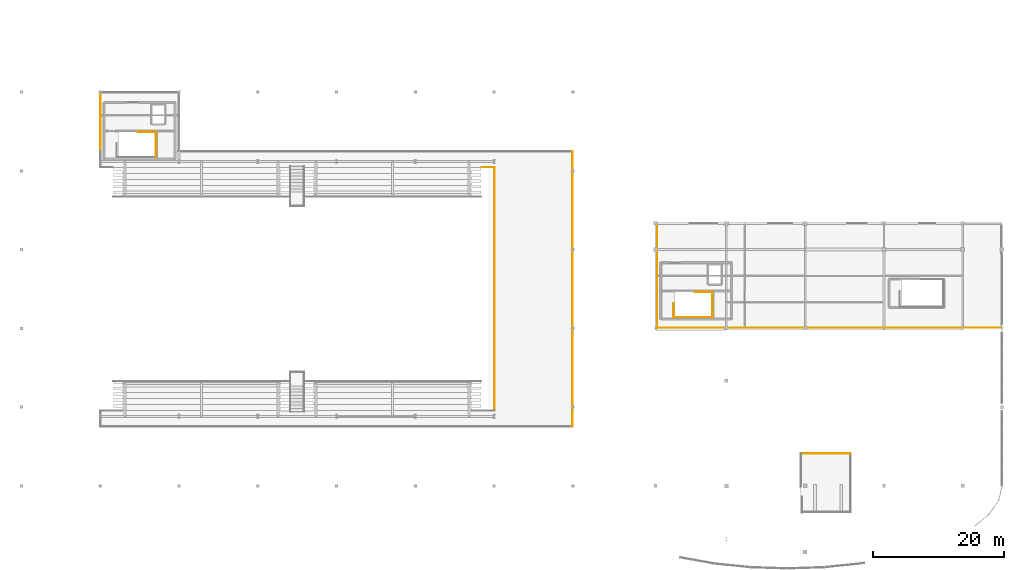
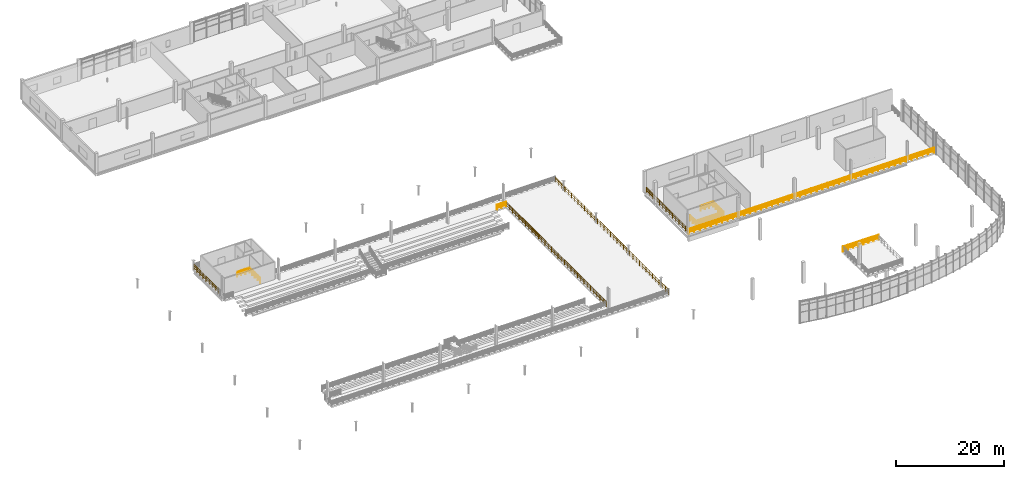
# One storey, part 47 of 52: 13 railings.
"""IFC4 building model written with IfcOpenShell, lengths in metres."""

from ifc_helpers import new_model, si_unit, direction, frame, origin, origin_2d, place, context, subcontext, project, spatial, circle, extrude, material, layer, layer_set, type_object, element, save


model = new_model("IFC4")

# Units and contexts
model_context = context("Model", 3, precision=1e-05, world=origin(), true_north=direction((0.0, 1.0)))
body_context = subcontext(model_context, "Body", "Model", "MODEL_VIEW")
ifc_project = project(units=[si_unit("LENGTHUNIT", "METRE"), si_unit("AREAUNIT", "SQUARE_METRE"), si_unit("VOLUMEUNIT", "CUBIC_METRE"), si_unit("PLANEANGLEUNIT", "RADIAN"), si_unit("MASSUNIT", "GRAM", prefix="KILO"), si_unit("THERMODYNAMICTEMPERATUREUNIT", "KELVIN"), si_unit("POWERUNIT", "WATT")], contexts=[model_context])

# Site, building, storey
site_placement = place(None, origin())
site = spatial("IfcSite", under=ifc_project, at=site_placement, CompositionType="ELEMENT")
building_placement = place(site_placement, origin())
building = spatial("IfcBuilding", under=site, at=building_placement, Name="Solmara Park Aquatics Centre", CompositionType="ELEMENT")
storey_placement = place(building_placement, frame((0.0, 0.0, 9.60009765625)))
storey = spatial("IfcBuildingStorey", under=building, at=storey_placement, Name="L02", CompositionType="ELEMENT", Elevation=9.60009765625)

# Railings
ifc_material_1 = material(Name="Toughened Glass and Stainless Steel Stand Guardrail", Category="steel")
ifc_layer_1 = layer(ifc_material_1, 0.06005859375, Name="Toughened Glass and Stainless Steel Stand Guardrail")
ifc_layer_set_1 = layer_set([ifc_layer_1], Name="Toughened Glass and Stainless Steel Stand Guardrail")
railing_type_1 = type_object("IfcRailingType", Name="ARC-RL-STD110", PredefinedType="GUARDRAIL", material=ifc_layer_set_1)
railing_1_placement = place(storey_placement, frame((109.5, 36.699951171875, 0.0)))
element("IfcRailing", 1, at=railing_1_placement, inside=storey, type_object=railing_type_1, Name="Atrium & Gallery Void Guardrail 14", PredefinedType="GUARDRAIL", context=body_context, shape_type="SweptSolid", body=[
    extrude(circle(Radius=0.02392578125, at=origin_2d()), frame((0.0, 0.0, 1.15576171875), z_axis=(1.0, 0.0, 0.0), x_axis=(0.0, 1.0, 0.0)), (0.0, 0.0, 1.0), 52.300048828125),
    extrude(circle(Radius=0.01416015625, at=origin_2d()), frame((0.0, 0.0, 0.4130859375), z_axis=(1.0, 0.0, 0.0), x_axis=(0.0, 1.0, 0.0)), (0.0, 0.0, 1.0), 52.300048828125),
    extrude(circle(Radius=0.01416015625, at=origin_2d()), frame((0.0, 0.0, 0.80224609375), z_axis=(1.0, 0.0, 0.0), x_axis=(0.0, 1.0, 0.0)), (0.0, 0.0, 1.0), 52.300048828125),
    extrude(circle(Radius=0.02099609375, at=origin_2d()), origin(), (0.0, 0.0, 1.0), 1.1318359375),
    extrude(circle(Radius=0.02099609375, at=origin_2d()), frame((1.188720703125, 0.0, 0.0)), (0.0, 0.0, 1.0), 1.1318359375),
    extrude(circle(Radius=0.02099609375, at=origin_2d()), frame((2.377197265625, 0.0, 0.0)), (0.0, 0.0, 1.0), 1.1318359375),
    extrude(circle(Radius=0.02099609375, at=origin_2d()), frame((3.56591796875, 0.0, 0.0)), (0.0, 0.0, 1.0), 1.1318359375),
    extrude(circle(Radius=0.02099609375, at=origin_2d()), frame((4.754638671875, 0.0, 0.0)), (0.0, 0.0, 1.0), 1.1318359375),
    extrude(circle(Radius=0.02099609375, at=origin_2d()), frame((5.943115234375, 0.0, 0.0)), (0.0, 0.0, 1.0), 1.1318359375),
    extrude(circle(Radius=0.02099609375, at=origin_2d()), frame((7.1318359375, 0.0, 0.0)), (0.0, 0.0, 1.0), 1.1318359375),
    extrude(circle(Radius=0.02099609375, at=origin_2d()), frame((8.320556640625, 0.0, 0.0)), (0.0, 0.0, 1.0), 1.1318359375),
    extrude(circle(Radius=0.02099609375, at=origin_2d()), frame((9.509033203125, 0.0, 0.0)), (0.0, 0.0, 1.0), 1.1318359375),
    extrude(circle(Radius=0.02099609375, at=origin_2d()), frame((10.69775390625, 0.0, 0.0)), (0.0, 0.0, 1.0), 1.1318359375),
    extrude(circle(Radius=0.02099609375, at=origin_2d()), frame((11.886474609375, 0.0, 0.0)), (0.0, 0.0, 1.0), 1.1318359375),
    extrude(circle(Radius=0.02099609375, at=origin_2d()), frame((13.074951171875, 0.0, 0.0)), (0.0, 0.0, 1.0), 1.1318359375),
    extrude(circle(Radius=0.02099609375, at=origin_2d()), frame((14.263671875, 0.0, 0.0)), (0.0, 0.0, 1.0), 1.1318359375),
    extrude(circle(Radius=0.02099609375, at=origin_2d()), frame((15.452392578125, 0.0, 0.0)), (0.0, 0.0, 1.0), 1.1318359375),
    extrude(circle(Radius=0.02099609375, at=origin_2d()), frame((16.640869140625, 0.0, 0.0)), (0.0, 0.0, 1.0), 1.1318359375),
    extrude(circle(Radius=0.02099609375, at=origin_2d()), frame((17.82958984375, 0.0, 0.0)), (0.0, 0.0, 1.0), 1.1318359375),
    extrude(circle(Radius=0.02099609375, at=origin_2d()), frame((19.018310546875, 0.0, 0.0)), (0.0, 0.0, 1.0), 1.1318359375),
    extrude(circle(Radius=0.02099609375, at=origin_2d()), frame((20.206787109375, 0.0, 0.0)), (0.0, 0.0, 1.0), 1.1318359375),
    extrude(circle(Radius=0.02099609375, at=origin_2d()), frame((21.3955078125, 0.0, 0.0)), (0.0, 0.0, 1.0), 1.1318359375),
    extrude(circle(Radius=0.02099609375, at=origin_2d()), frame((22.584228515625, 0.0, 0.0)), (0.0, 0.0, 1.0), 1.1318359375),
    extrude(circle(Radius=0.02099609375, at=origin_2d()), frame((23.772705078125, 0.0, 0.0)), (0.0, 0.0, 1.0), 1.1318359375),
    extrude(circle(Radius=0.02099609375, at=origin_2d()), frame((24.96142578125, 0.0, 0.0)), (0.0, 0.0, 1.0), 1.1318359375),
    extrude(circle(Radius=0.02099609375, at=origin_2d()), frame((26.14990234375, 0.0, 0.0)), (0.0, 0.0, 1.0), 1.1318359375),
    extrude(circle(Radius=0.02099609375, at=origin_2d()), frame((27.338623046875, 0.0, 0.0)), (0.0, 0.0, 1.0), 1.1318359375),
    extrude(circle(Radius=0.02099609375, at=origin_2d()), frame((28.52734375, 0.0, 0.0)), (0.0, 0.0, 1.0), 1.1318359375),
    extrude(circle(Radius=0.02099609375, at=origin_2d()), frame((29.7158203125, 0.0, 0.0)), (0.0, 0.0, 1.0), 1.1318359375),
    extrude(circle(Radius=0.02099609375, at=origin_2d()), frame((30.904541015625, 0.0, 0.0)), (0.0, 0.0, 1.0), 1.1318359375),
    extrude(circle(Radius=0.02099609375, at=origin_2d()), frame((32.09326171875, 0.0, 0.0)), (0.0, 0.0, 1.0), 1.1318359375),
    extrude(circle(Radius=0.02099609375, at=origin_2d()), frame((33.28173828125, 0.0, 0.0)), (0.0, 0.0, 1.0), 1.1318359375),
    extrude(circle(Radius=0.02099609375, at=origin_2d()), frame((34.470458984375, 0.0, 0.0)), (0.0, 0.0, 1.0), 1.1318359375),
    extrude(circle(Radius=0.02099609375, at=origin_2d()), frame((35.6591796875, 0.0, 0.0)), (0.0, 0.0, 1.0), 1.1318359375),
    extrude(circle(Radius=0.02099609375, at=origin_2d()), frame((36.84765625, 0.0, 0.0)), (0.0, 0.0, 1.0), 1.1318359375),
    extrude(circle(Radius=0.02099609375, at=origin_2d()), frame((38.036376953125, 0.0, 0.0)), (0.0, 0.0, 1.0), 1.1318359375),
    extrude(circle(Radius=0.02099609375, at=origin_2d()), frame((39.22509765625, 0.0, 0.0)), (0.0, 0.0, 1.0), 1.1318359375),
    extrude(circle(Radius=0.02099609375, at=origin_2d()), frame((40.41357421875, 0.0, 0.0)), (0.0, 0.0, 1.0), 1.1318359375),
    extrude(circle(Radius=0.02099609375, at=origin_2d()), frame((41.602294921875, 0.0, 0.0)), (0.0, 0.0, 1.0), 1.1318359375),
    extrude(circle(Radius=0.02099609375, at=origin_2d()), frame((42.791015625, 0.0, 0.0)), (0.0, 0.0, 1.0), 1.1318359375),
    extrude(circle(Radius=0.02099609375, at=origin_2d()), frame((43.9794921875, 0.0, 0.0)), (0.0, 0.0, 1.0), 1.1318359375),
    extrude(circle(Radius=0.02099609375, at=origin_2d()), frame((45.168212890625, 0.0, 0.0)), (0.0, 0.0, 1.0), 1.1318359375),
    extrude(circle(Radius=0.02099609375, at=origin_2d()), frame((46.35693359375, 0.0, 0.0)), (0.0, 0.0, 1.0), 1.1318359375),
    extrude(circle(Radius=0.02099609375, at=origin_2d()), frame((47.54541015625, 0.0, 0.0)), (0.0, 0.0, 1.0), 1.1318359375),
    extrude(circle(Radius=0.02099609375, at=origin_2d()), frame((48.734130859375, 0.0, 0.0)), (0.0, 0.0, 1.0), 1.1318359375),
    extrude(circle(Radius=0.02099609375, at=origin_2d()), frame((49.9228515625, 0.0, 0.0)), (0.0, 0.0, 1.0), 1.1318359375),
    extrude(circle(Radius=0.02099609375, at=origin_2d()), frame((51.111328125, 0.0, 0.0)), (0.0, 0.0, 1.0), 1.1318359375),
    extrude(circle(Radius=0.02099609375, at=origin_2d()), frame((52.300048828125, 0.0, 0.0)), (0.0, 0.0, 1.0), 1.1318359375),
])
railing_2_placement = place(storey_placement, frame((24.64990234375, 63.60009765625, 0.0)))
element("IfcRailing", 2, at=railing_2_placement, inside=storey, type_object=railing_type_1, Name="Atrium & Gallery Void Guardrail 17", PredefinedType="GUARDRAIL", context=body_context, shape_type="SweptSolid", body=[
    extrude(circle(Radius=0.02392578125, at=origin_2d()), frame((0.0, 0.0, 1.15576171875), z_axis=(0.0, 1.0, 0.0), x_axis=(-1.0, 0.0, 0.0)), (0.0, 0.0, 1.0), 8.949951171875),
    extrude(circle(Radius=0.01416015625, at=origin_2d()), frame((0.0, 0.0, 0.4130859375), z_axis=(0.0, 1.0, 0.0), x_axis=(-1.0, 0.0, 0.0)), (0.0, 0.0, 1.0), 8.949951171875),
    extrude(circle(Radius=0.01416015625, at=origin_2d()), frame((0.0, 0.0, 0.80224609375), z_axis=(0.0, 1.0, 0.0), x_axis=(-1.0, 0.0, 0.0)), (0.0, 0.0, 1.0), 8.949951171875),
    extrude(circle(Radius=0.02099609375, at=origin_2d()), origin(), (0.0, 0.0, 1.0), 1.1318359375),
    extrude(circle(Radius=0.02099609375, at=origin_2d()), frame((0.0, 1.11865234375, 0.0)), (0.0, 0.0, 1.0), 1.1318359375),
    extrude(circle(Radius=0.02099609375, at=origin_2d()), frame((0.0, 2.237548828125, 0.0)), (0.0, 0.0, 1.0), 1.1318359375),
    extrude(circle(Radius=0.02099609375, at=origin_2d()), frame((0.0, 3.356201171875, 0.0)), (0.0, 0.0, 1.0), 1.1318359375),
    extrude(circle(Radius=0.02099609375, at=origin_2d()), frame((0.0, 4.47509765625, 0.0)), (0.0, 0.0, 1.0), 1.1318359375),
    extrude(circle(Radius=0.02099609375, at=origin_2d()), frame((0.0, 5.59375, 0.0)), (0.0, 0.0, 1.0), 1.1318359375),
    extrude(circle(Radius=0.02099609375, at=origin_2d()), frame((0.0, 6.71240234375, 0.0)), (0.0, 0.0, 1.0), 1.1318359375),
    extrude(circle(Radius=0.02099609375, at=origin_2d()), frame((0.0, 7.831298828125, 0.0)), (0.0, 0.0, 1.0), 1.1318359375),
    extrude(circle(Radius=0.02099609375, at=origin_2d()), frame((0.0, 8.949951171875, 0.0)), (0.0, 0.0, 1.0), 1.1318359375),
])
railing_3_placement = place(storey_placement, frame((84.659912109375, 24.0400390625, 0.0)))
element("IfcRailing", 3, at=railing_3_placement, inside=storey, type_object=railing_type_1, Name="L02 Slab Edge Guardrail 085", PredefinedType="GUARDRAIL", context=body_context, shape_type="SweptSolid", body=[
    extrude(circle(Radius=0.02392578125, at=origin_2d()), frame((0.0, 0.0, 1.15576171875), z_axis=(0.0, 1.0, 0.0), x_axis=(-1.0, 0.0, 0.0)), (0.0, 0.0, 1.0), 37.119873046875),
    extrude(circle(Radius=0.01416015625, at=origin_2d()), frame((0.0, 0.0, 0.4130859375), z_axis=(0.0, 1.0, 0.0), x_axis=(-1.0, 0.0, 0.0)), (0.0, 0.0, 1.0), 37.119873046875),
    extrude(circle(Radius=0.01416015625, at=origin_2d()), frame((0.0, 0.0, 0.80224609375), z_axis=(0.0, 1.0, 0.0), x_axis=(-1.0, 0.0, 0.0)), (0.0, 0.0, 1.0), 37.119873046875),
    extrude(circle(Radius=0.02099609375, at=origin_2d()), origin(), (0.0, 0.0, 1.0), 1.1318359375),
    extrude(circle(Radius=0.02099609375, at=origin_2d()), frame((0.0, 1.197509765625, 0.0)), (0.0, 0.0, 1.0), 1.1318359375),
    extrude(circle(Radius=0.02099609375, at=origin_2d()), frame((0.0, 2.394775390625, 0.0)), (0.0, 0.0, 1.0), 1.1318359375),
    extrude(circle(Radius=0.02099609375, at=origin_2d()), frame((0.0, 3.59228515625, 0.0)), (0.0, 0.0, 1.0), 1.1318359375),
    extrude(circle(Radius=0.02099609375, at=origin_2d()), frame((0.0, 4.78955078125, 0.0)), (0.0, 0.0, 1.0), 1.1318359375),
    extrude(circle(Radius=0.02099609375, at=origin_2d()), frame((0.0, 5.987060546875, 0.0)), (0.0, 0.0, 1.0), 1.1318359375),
    extrude(circle(Radius=0.02099609375, at=origin_2d()), frame((0.0, 7.1845703125, 0.0)), (0.0, 0.0, 1.0), 1.1318359375),
    extrude(circle(Radius=0.02099609375, at=origin_2d()), frame((0.0, 8.3818359375, 0.0)), (0.0, 0.0, 1.0), 1.1318359375),
    extrude(circle(Radius=0.02099609375, at=origin_2d()), frame((0.0, 9.579345703125, 0.0)), (0.0, 0.0, 1.0), 1.1318359375),
    extrude(circle(Radius=0.02099609375, at=origin_2d()), frame((0.0, 10.77685546875, 0.0)), (0.0, 0.0, 1.0), 1.1318359375),
    extrude(circle(Radius=0.02099609375, at=origin_2d()), frame((0.0, 11.97412109375, 0.0)), (0.0, 0.0, 1.0), 1.1318359375),
    extrude(circle(Radius=0.02099609375, at=origin_2d()), frame((0.0, 13.171630859375, 0.0)), (0.0, 0.0, 1.0), 1.1318359375),
    extrude(circle(Radius=0.02099609375, at=origin_2d()), frame((0.0, 14.368896484375, 0.0)), (0.0, 0.0, 1.0), 1.1318359375),
    extrude(circle(Radius=0.02099609375, at=origin_2d()), frame((0.0, 15.56640625, 0.0)), (0.0, 0.0, 1.0), 1.1318359375),
    extrude(circle(Radius=0.02099609375, at=origin_2d()), frame((0.0, 16.763916015625, 0.0)), (0.0, 0.0, 1.0), 1.1318359375),
    extrude(circle(Radius=0.02099609375, at=origin_2d()), frame((0.0, 17.961181640625, 0.0)), (0.0, 0.0, 1.0), 1.1318359375),
    extrude(circle(Radius=0.02099609375, at=origin_2d()), frame((0.0, 19.15869140625, 0.0)), (0.0, 0.0, 1.0), 1.1318359375),
    extrude(circle(Radius=0.02099609375, at=origin_2d()), frame((0.0, 20.35595703125, 0.0)), (0.0, 0.0, 1.0), 1.1318359375),
    extrude(circle(Radius=0.02099609375, at=origin_2d()), frame((0.0, 21.553466796875, 0.0)), (0.0, 0.0, 1.0), 1.1318359375),
    extrude(circle(Radius=0.02099609375, at=origin_2d()), frame((0.0, 22.7509765625, 0.0)), (0.0, 0.0, 1.0), 1.1318359375),
    extrude(circle(Radius=0.02099609375, at=origin_2d()), frame((0.0, 23.9482421875, 0.0)), (0.0, 0.0, 1.0), 1.1318359375),
    extrude(circle(Radius=0.02099609375, at=origin_2d()), frame((0.0, 25.145751953125, 0.0)), (0.0, 0.0, 1.0), 1.1318359375),
    extrude(circle(Radius=0.02099609375, at=origin_2d()), frame((0.0, 26.343017578125, 0.0)), (0.0, 0.0, 1.0), 1.1318359375),
    extrude(circle(Radius=0.02099609375, at=origin_2d()), frame((0.0, 27.54052734375, 0.0)), (0.0, 0.0, 1.0), 1.1318359375),
    extrude(circle(Radius=0.02099609375, at=origin_2d()), frame((0.0, 28.738037109375, 0.0)), (0.0, 0.0, 1.0), 1.1318359375),
    extrude(circle(Radius=0.02099609375, at=origin_2d()), frame((0.0, 29.935302734375, 0.0)), (0.0, 0.0, 1.0), 1.1318359375),
    extrude(circle(Radius=0.02099609375, at=origin_2d()), frame((0.0, 31.1328125, 0.0)), (0.0, 0.0, 1.0), 1.1318359375),
    extrude(circle(Radius=0.02099609375, at=origin_2d()), frame((0.0, 32.330322265625, 0.0)), (0.0, 0.0, 1.0), 1.1318359375),
    extrude(circle(Radius=0.02099609375, at=origin_2d()), frame((0.0, 33.527587890625, 0.0)), (0.0, 0.0, 1.0), 1.1318359375),
    extrude(circle(Radius=0.02099609375, at=origin_2d()), frame((0.0, 34.72509765625, 0.0)), (0.0, 0.0, 1.0), 1.1318359375),
    extrude(circle(Radius=0.02099609375, at=origin_2d()), frame((0.0, 35.92236328125, 0.0)), (0.0, 0.0, 1.0), 1.1318359375),
    extrude(circle(Radius=0.02099609375, at=origin_2d()), frame((0.0, 37.119873046875, 0.0)), (0.0, 0.0, 1.0), 1.1318359375),
])
railing_4_placement = place(storey_placement, frame((84.659912109375, 61.159912109375, 0.0)))
element("IfcRailing", 4, at=railing_4_placement, inside=storey, type_object=railing_type_1, Name="L02 Slab Edge Guardrail 086", PredefinedType="GUARDRAIL", context=body_context, shape_type="SweptSolid", body=[
    extrude(circle(Radius=0.02392578125, at=origin_2d()), frame((0.0, 0.0, 1.15576171875), z_axis=(-1.0, 0.0, 0.0), x_axis=(0.0, -1.0, 0.0)), (0.0, 0.0, 1.0), 1.93359375),
    extrude(circle(Radius=0.01416015625, at=origin_2d()), frame((0.0, 0.0, 0.4130859375), z_axis=(-1.0, 0.0, 0.0), x_axis=(0.0, -1.0, 0.0)), (0.0, 0.0, 1.0), 1.93359375),
    extrude(circle(Radius=0.01416015625, at=origin_2d()), frame((0.0, 0.0, 0.80224609375), z_axis=(-1.0, 0.0, 0.0), x_axis=(0.0, -1.0, 0.0)), (0.0, 0.0, 1.0), 1.93359375),
    extrude(circle(Radius=0.02099609375, at=origin_2d()), origin(), (0.0, 0.0, 1.0), 1.1318359375),
    extrude(circle(Radius=0.02099609375, at=origin_2d()), frame((-0.966796875, 0.0, 0.0)), (0.0, 0.0, 1.0), 1.1318359375),
    extrude(circle(Radius=0.02099609375, at=origin_2d()), frame((-1.93359375, 0.0, 0.0)), (0.0, 0.0, 1.0), 1.1318359375),
])
railing_5_placement = place(storey_placement, frame((96.5400390625, 63.5400390625, 0.0)))
element("IfcRailing", 5, at=railing_5_placement, inside=storey, type_object=railing_type_1, Name="L02 Slab Edge Guardrail 090", PredefinedType="GUARDRAIL", context=body_context, shape_type="SweptSolid", body=[
    extrude(circle(Radius=0.02392578125, at=origin_2d()), frame((0.0, 0.0, 1.15576171875), z_axis=(0.0, -1.0, 0.0), x_axis=(1.0, 0.0, 0.0)), (0.0, 0.0, 1.0), 41.880126953125),
    extrude(circle(Radius=0.01416015625, at=origin_2d()), frame((0.0, 0.0, 0.4130859375), z_axis=(0.0, -1.0, 0.0), x_axis=(1.0, 0.0, 0.0)), (0.0, 0.0, 1.0), 41.880126953125),
    extrude(circle(Radius=0.01416015625, at=origin_2d()), frame((0.0, 0.0, 0.80224609375), z_axis=(0.0, -1.0, 0.0), x_axis=(1.0, 0.0, 0.0)), (0.0, 0.0, 1.0), 41.880126953125),
    extrude(circle(Radius=0.02099609375, at=origin_2d()), origin(), (0.0, 0.0, 1.0), 1.1318359375),
    extrude(circle(Radius=0.02099609375, at=origin_2d()), frame((0.0, -1.196533203125, 0.0)), (0.0, 0.0, 1.0), 1.1318359375),
    extrude(circle(Radius=0.02099609375, at=origin_2d()), frame((0.0, -2.39306640625, 0.0)), (0.0, 0.0, 1.0), 1.1318359375),
    extrude(circle(Radius=0.02099609375, at=origin_2d()), frame((0.0, -3.58984375, 0.0)), (0.0, 0.0, 1.0), 1.1318359375),
    extrude(circle(Radius=0.02099609375, at=origin_2d()), frame((0.0, -4.786376953125, 0.0)), (0.0, 0.0, 1.0), 1.1318359375),
    extrude(circle(Radius=0.02099609375, at=origin_2d()), frame((0.0, -5.98291015625, 0.0)), (0.0, 0.0, 1.0), 1.1318359375),
    extrude(circle(Radius=0.02099609375, at=origin_2d()), frame((0.0, -7.179443359375, 0.0)), (0.0, 0.0, 1.0), 1.1318359375),
    extrude(circle(Radius=0.02099609375, at=origin_2d()), frame((0.0, -8.3759765625, 0.0)), (0.0, 0.0, 1.0), 1.1318359375),
    extrude(circle(Radius=0.02099609375, at=origin_2d()), frame((0.0, -9.572509765625, 0.0)), (0.0, 0.0, 1.0), 1.1318359375),
    extrude(circle(Radius=0.02099609375, at=origin_2d()), frame((0.0, -10.769287109375, 0.0)), (0.0, 0.0, 1.0), 1.1318359375),
    extrude(circle(Radius=0.02099609375, at=origin_2d()), frame((0.0, -11.9658203125, 0.0)), (0.0, 0.0, 1.0), 1.1318359375),
    extrude(circle(Radius=0.02099609375, at=origin_2d()), frame((0.0, -13.162353515625, 0.0)), (0.0, 0.0, 1.0), 1.1318359375),
    extrude(circle(Radius=0.02099609375, at=origin_2d()), frame((0.0, -14.35888671875, 0.0)), (0.0, 0.0, 1.0), 1.1318359375),
    extrude(circle(Radius=0.02099609375, at=origin_2d()), frame((0.0, -15.555419921875, 0.0)), (0.0, 0.0, 1.0), 1.1318359375),
    extrude(circle(Radius=0.02099609375, at=origin_2d()), frame((0.0, -16.751953125, 0.0)), (0.0, 0.0, 1.0), 1.1318359375),
    extrude(circle(Radius=0.02099609375, at=origin_2d()), frame((0.0, -17.94873046875, 0.0)), (0.0, 0.0, 1.0), 1.1318359375),
    extrude(circle(Radius=0.02099609375, at=origin_2d()), frame((0.0, -19.145263671875, 0.0)), (0.0, 0.0, 1.0), 1.1318359375),
    extrude(circle(Radius=0.02099609375, at=origin_2d()), frame((0.0, -20.341796875, 0.0)), (0.0, 0.0, 1.0), 1.1318359375),
    extrude(circle(Radius=0.02099609375, at=origin_2d()), frame((0.0, -21.538330078125, 0.0)), (0.0, 0.0, 1.0), 1.1318359375),
    extrude(circle(Radius=0.02099609375, at=origin_2d()), frame((0.0, -22.73486328125, 0.0)), (0.0, 0.0, 1.0), 1.1318359375),
    extrude(circle(Radius=0.02099609375, at=origin_2d()), frame((0.0, -23.931396484375, 0.0)), (0.0, 0.0, 1.0), 1.1318359375),
    extrude(circle(Radius=0.02099609375, at=origin_2d()), frame((0.0, -25.128173828125, 0.0)), (0.0, 0.0, 1.0), 1.1318359375),
    extrude(circle(Radius=0.02099609375, at=origin_2d()), frame((0.0, -26.32470703125, 0.0)), (0.0, 0.0, 1.0), 1.1318359375),
    extrude(circle(Radius=0.02099609375, at=origin_2d()), frame((0.0, -27.521240234375, 0.0)), (0.0, 0.0, 1.0), 1.1318359375),
    extrude(circle(Radius=0.02099609375, at=origin_2d()), frame((0.0, -28.7177734375, 0.0)), (0.0, 0.0, 1.0), 1.1318359375),
    extrude(circle(Radius=0.02099609375, at=origin_2d()), frame((0.0, -29.914306640625, 0.0)), (0.0, 0.0, 1.0), 1.1318359375),
    extrude(circle(Radius=0.02099609375, at=origin_2d()), frame((0.0, -31.11083984375, 0.0)), (0.0, 0.0, 1.0), 1.1318359375),
    extrude(circle(Radius=0.02099609375, at=origin_2d()), frame((0.0, -32.3076171875, 0.0)), (0.0, 0.0, 1.0), 1.1318359375),
    extrude(circle(Radius=0.02099609375, at=origin_2d()), frame((0.0, -33.504150390625, 0.0)), (0.0, 0.0, 1.0), 1.1318359375),
    extrude(circle(Radius=0.02099609375, at=origin_2d()), frame((0.0, -34.70068359375, 0.0)), (0.0, 0.0, 1.0), 1.1318359375),
    extrude(circle(Radius=0.02099609375, at=origin_2d()), frame((0.0, -35.897216796875, 0.0)), (0.0, 0.0, 1.0), 1.1318359375),
    extrude(circle(Radius=0.02099609375, at=origin_2d()), frame((0.0, -37.09375, 0.0)), (0.0, 0.0, 1.0), 1.1318359375),
    extrude(circle(Radius=0.02099609375, at=origin_2d()), frame((0.0, -38.290283203125, 0.0)), (0.0, 0.0, 1.0), 1.1318359375),
    extrude(circle(Radius=0.02099609375, at=origin_2d()), frame((0.0, -39.487060546875, 0.0)), (0.0, 0.0, 1.0), 1.1318359375),
    extrude(circle(Radius=0.02099609375, at=origin_2d()), frame((0.0, -40.68359375, 0.0)), (0.0, 0.0, 1.0), 1.1318359375),
    extrude(circle(Radius=0.02099609375, at=origin_2d()), frame((0.0, -41.880126953125, 0.0)), (0.0, 0.0, 1.0), 1.1318359375),
])
railing_6_placement = place(storey_placement, frame((109.4599609375, 36.659912109375, 0.0)))
element("IfcRailing", 6, at=railing_6_placement, inside=storey, type_object=railing_type_1, Name="L02 Slab Edge Guardrail 092", PredefinedType="GUARDRAIL", context=body_context, shape_type="SweptSolid", body=[
    extrude(circle(Radius=0.02392578125, at=origin_2d()), frame((0.0, 0.0, 1.15576171875), z_axis=(0.0, 1.0, 0.0), x_axis=(-1.0, 0.0, 0.0)), (0.0, 0.0, 1.0), 15.590087890625),
    extrude(circle(Radius=0.01416015625, at=origin_2d()), frame((0.0, 0.0, 0.4130859375), z_axis=(0.0, 1.0, 0.0), x_axis=(-1.0, 0.0, 0.0)), (0.0, 0.0, 1.0), 15.590087890625),
    extrude(circle(Radius=0.01416015625, at=origin_2d()), frame((0.0, 0.0, 0.80224609375), z_axis=(0.0, 1.0, 0.0), x_axis=(-1.0, 0.0, 0.0)), (0.0, 0.0, 1.0), 15.590087890625),
    extrude(circle(Radius=0.02099609375, at=origin_2d()), origin(), (0.0, 0.0, 1.0), 1.1318359375),
    extrude(circle(Radius=0.02099609375, at=origin_2d()), frame((0.0, 1.19921875, 0.0)), (0.0, 0.0, 1.0), 1.1318359375),
    extrude(circle(Radius=0.02099609375, at=origin_2d()), frame((0.0, 2.3984375, 0.0)), (0.0, 0.0, 1.0), 1.1318359375),
    extrude(circle(Radius=0.02099609375, at=origin_2d()), frame((0.0, 3.59765625, 0.0)), (0.0, 0.0, 1.0), 1.1318359375),
    extrude(circle(Radius=0.02099609375, at=origin_2d()), frame((0.0, 4.796875, 0.0)), (0.0, 0.0, 1.0), 1.1318359375),
    extrude(circle(Radius=0.02099609375, at=origin_2d()), frame((0.0, 5.99609375, 0.0)), (0.0, 0.0, 1.0), 1.1318359375),
    extrude(circle(Radius=0.02099609375, at=origin_2d()), frame((0.0, 7.1953125, 0.0)), (0.0, 0.0, 1.0), 1.1318359375),
    extrude(circle(Radius=0.02099609375, at=origin_2d()), frame((0.0, 8.394775390625, 0.0)), (0.0, 0.0, 1.0), 1.1318359375),
    extrude(circle(Radius=0.02099609375, at=origin_2d()), frame((0.0, 9.593994140625, 0.0)), (0.0, 0.0, 1.0), 1.1318359375),
    extrude(circle(Radius=0.02099609375, at=origin_2d()), frame((0.0, 10.793212890625, 0.0)), (0.0, 0.0, 1.0), 1.1318359375),
    extrude(circle(Radius=0.02099609375, at=origin_2d()), frame((0.0, 11.992431640625, 0.0)), (0.0, 0.0, 1.0), 1.1318359375),
    extrude(circle(Radius=0.02099609375, at=origin_2d()), frame((0.0, 13.191650390625, 0.0)), (0.0, 0.0, 1.0), 1.1318359375),
    extrude(circle(Radius=0.02099609375, at=origin_2d()), frame((0.0, 14.390869140625, 0.0)), (0.0, 0.0, 1.0), 1.1318359375),
    extrude(circle(Radius=0.02099609375, at=origin_2d()), frame((0.0, 15.590087890625, 0.0)), (0.0, 0.0, 1.0), 1.1318359375),
])
railing_7_placement = place(storey_placement, frame((131.360107421875, 17.5400390625, 0.0)))
element("IfcRailing", 7, at=railing_7_placement, inside=storey, type_object=railing_type_1, Name="L02 Slab Edge Guardrail 106", PredefinedType="GUARDRAIL", context=body_context, shape_type="SweptSolid", body=[
    extrude(circle(Radius=0.02392578125, at=origin_2d()), frame((0.0, 0.0, 1.15576171875), z_axis=(1.0, 0.0, 0.0), x_axis=(0.0, 1.0, 0.0)), (0.0, 0.0, 1.0), 7.579833984375),
    extrude(circle(Radius=0.01416015625, at=origin_2d()), frame((0.0, 0.0, 0.4130859375), z_axis=(1.0, 0.0, 0.0), x_axis=(0.0, 1.0, 0.0)), (0.0, 0.0, 1.0), 7.579833984375),
    extrude(circle(Radius=0.01416015625, at=origin_2d()), frame((0.0, 0.0, 0.80224609375), z_axis=(1.0, 0.0, 0.0), x_axis=(0.0, 1.0, 0.0)), (0.0, 0.0, 1.0), 7.579833984375),
    extrude(circle(Radius=0.02099609375, at=origin_2d()), origin(), (0.0, 0.0, 1.0), 1.1318359375),
    extrude(circle(Radius=0.02099609375, at=origin_2d()), frame((1.082763671875, 0.0, 0.0)), (0.0, 0.0, 1.0), 1.1318359375),
    extrude(circle(Radius=0.02099609375, at=origin_2d()), frame((2.165771484375, 0.0, 0.0)), (0.0, 0.0, 1.0), 1.1318359375),
    extrude(circle(Radius=0.02099609375, at=origin_2d()), frame((3.24853515625, 0.0, 0.0)), (0.0, 0.0, 1.0), 1.1318359375),
    extrude(circle(Radius=0.02099609375, at=origin_2d()), frame((4.331298828125, 0.0, 0.0)), (0.0, 0.0, 1.0), 1.1318359375),
    extrude(circle(Radius=0.02099609375, at=origin_2d()), frame((5.4140625, 0.0, 0.0)), (0.0, 0.0, 1.0), 1.1318359375),
    extrude(circle(Radius=0.02099609375, at=origin_2d()), frame((6.4970703125, 0.0, 0.0)), (0.0, 0.0, 1.0), 1.1318359375),
    extrude(circle(Radius=0.02099609375, at=origin_2d()), frame((7.579833984375, 0.0, 0.0)), (0.0, 0.0, 1.0), 1.1318359375),
])
ifc_material_2 = material(Name="Brushed Stainless Steel Guardrail", Category="steel")
ifc_layer_2 = layer(ifc_material_2, 0.050048828125, Name="Brushed Stainless Steel Guardrail")
ifc_layer_set_2 = layer_set([ifc_layer_2], Name="Brushed Stainless Steel Guardrail")
railing_type_2 = type_object("IfcRailingType", Name="ARC-RL-STR110", PredefinedType="GUARDRAIL", material=ifc_layer_set_2)
railing_8_placement = place(storey_placement, frame((111.929931640625, 38.27001953125, 0.0)))
element("IfcRailing", 8, at=railing_8_placement, inside=storey, type_object=railing_type_2, Name="ST-03 Protected Exit Stair (L01 to L02) Arrival Well Guardrail", PredefinedType="GUARDRAIL", context=body_context, shape_type="SweptSolid", body=[
    extrude(circle(Radius=0.02392578125, at=origin_2d()), frame((0.0, 0.0, 1.15576171875), z_axis=(0.0, 1.0, 0.0), x_axis=(-1.0, 0.0, 0.0)), (0.0, 0.0, 1.0), 2.119873046875),
    extrude(circle(Radius=0.01416015625, at=origin_2d()), frame((0.0, 0.0, 0.4130859375), z_axis=(0.0, 1.0, 0.0), x_axis=(-1.0, 0.0, 0.0)), (0.0, 0.0, 1.0), 2.119873046875),
    extrude(circle(Radius=0.01416015625, at=origin_2d()), frame((0.0, 0.0, 0.80224609375), z_axis=(0.0, 1.0, 0.0), x_axis=(-1.0, 0.0, 0.0)), (0.0, 0.0, 1.0), 2.119873046875),
    extrude(circle(Radius=0.02099609375, at=origin_2d()), origin(), (0.0, 0.0, 1.0), 1.1318359375),
    extrude(circle(Radius=0.02099609375, at=origin_2d()), frame((0.0, 1.06005859375, 0.0)), (0.0, 0.0, 1.0), 1.1318359375),
    extrude(circle(Radius=0.02099609375, at=origin_2d()), frame((0.0, 2.119873046875, 0.0)), (0.0, 0.0, 1.0), 1.1318359375),
])
railing_9_placement = place(storey_placement, frame((117.8798828125, 38.27001953125, 0.0)))
element("IfcRailing", 9, at=railing_9_placement, inside=storey, type_object=railing_type_2, Name="ST-03 Protected Exit Stair (L01 to L02) Far Well Edge Guardrail", PredefinedType="GUARDRAIL", context=body_context, shape_type="SweptSolid", body=[
    extrude(circle(Radius=0.02392578125, at=origin_2d()), frame((0.0, 0.0, 1.15576171875), z_axis=(0.0, 1.0, 0.0), x_axis=(-1.0, 0.0, 0.0)), (0.0, 0.0, 1.0), 3.85986328125),
    extrude(circle(Radius=0.01416015625, at=origin_2d()), frame((0.0, 0.0, 0.4130859375), z_axis=(0.0, 1.0, 0.0), x_axis=(-1.0, 0.0, 0.0)), (0.0, 0.0, 1.0), 3.85986328125),
    extrude(circle(Radius=0.01416015625, at=origin_2d()), frame((0.0, 0.0, 0.80224609375), z_axis=(0.0, 1.0, 0.0), x_axis=(-1.0, 0.0, 0.0)), (0.0, 0.0, 1.0), 3.85986328125),
    extrude(circle(Radius=0.02099609375, at=origin_2d()), origin(), (0.0, 0.0, 1.0), 1.1318359375),
    extrude(circle(Radius=0.02099609375, at=origin_2d()), frame((0.0, 0.96484375, 0.0)), (0.0, 0.0, 1.0), 1.1318359375),
    extrude(circle(Radius=0.02099609375, at=origin_2d()), frame((0.0, 1.929931640625, 0.0)), (0.0, 0.0, 1.0), 1.1318359375),
    extrude(circle(Radius=0.02099609375, at=origin_2d()), frame((0.0, 2.89501953125, 0.0)), (0.0, 0.0, 1.0), 1.1318359375),
    extrude(circle(Radius=0.02099609375, at=origin_2d()), frame((0.0, 3.85986328125, 0.0)), (0.0, 0.0, 1.0), 1.1318359375),
])
railing_10_placement = place(storey_placement, frame((111.929931640625, 38.280029296875, 0.0)))
element("IfcRailing", 10, at=railing_10_placement, inside=storey, type_object=railing_type_2, Name="ST-03 Protected Exit Stair (L01 to L02) Top Well South Guardrail", PredefinedType="GUARDRAIL", context=body_context, shape_type="SweptSolid", body=[
    extrude(circle(Radius=0.02392578125, at=origin_2d()), frame((0.0, 0.0, 1.15576171875), z_axis=(1.0, 0.0, 0.0), x_axis=(0.0, 1.0, 0.0)), (0.0, 0.0, 1.0), 5.949951171875),
    extrude(circle(Radius=0.01416015625, at=origin_2d()), frame((0.0, 0.0, 0.4130859375), z_axis=(1.0, 0.0, 0.0), x_axis=(0.0, 1.0, 0.0)), (0.0, 0.0, 1.0), 5.949951171875),
    extrude(circle(Radius=0.01416015625, at=origin_2d()), frame((0.0, 0.0, 0.80224609375), z_axis=(1.0, 0.0, 0.0), x_axis=(0.0, 1.0, 0.0)), (0.0, 0.0, 1.0), 5.949951171875),
    extrude(circle(Radius=0.02099609375, at=origin_2d()), origin(), (0.0, 0.0, 1.0), 1.1318359375),
    extrude(circle(Radius=0.02099609375, at=origin_2d()), frame((1.18994140625, 0.0, 0.0)), (0.0, 0.0, 1.0), 1.1318359375),
    extrude(circle(Radius=0.02099609375, at=origin_2d()), frame((2.3798828125, 0.0, 0.0)), (0.0, 0.0, 1.0), 1.1318359375),
    extrude(circle(Radius=0.02099609375, at=origin_2d()), frame((3.570068359375, 0.0, 0.0)), (0.0, 0.0, 1.0), 1.1318359375),
    extrude(circle(Radius=0.02099609375, at=origin_2d()), frame((4.760009765625, 0.0, 0.0)), (0.0, 0.0, 1.0), 1.1318359375),
    extrude(circle(Radius=0.02099609375, at=origin_2d()), frame((5.949951171875, 0.0, 0.0)), (0.0, 0.0, 1.0), 1.1318359375),
])
railing_11_placement = place(storey_placement, frame((115.169921875, 42.1201171875, 0.0)))
element("IfcRailing", 11, at=railing_11_placement, inside=storey, type_object=railing_type_2, Name="ST-03 Protected Exit Stair (L01 to L02) Top Well North Guardrail", PredefinedType="GUARDRAIL", context=body_context, shape_type="SweptSolid", body=[
    extrude(circle(Radius=0.02392578125, at=origin_2d()), frame((0.0, 0.0, 1.15576171875), z_axis=(1.0, 0.0, 0.0), x_axis=(0.0, 1.0, 0.0)), (0.0, 0.0, 1.0), 2.7099609375),
    extrude(circle(Radius=0.01416015625, at=origin_2d()), frame((0.0, 0.0, 0.4130859375), z_axis=(1.0, 0.0, 0.0), x_axis=(0.0, 1.0, 0.0)), (0.0, 0.0, 1.0), 2.7099609375),
    extrude(circle(Radius=0.01416015625, at=origin_2d()), frame((0.0, 0.0, 0.80224609375), z_axis=(1.0, 0.0, 0.0), x_axis=(0.0, 1.0, 0.0)), (0.0, 0.0, 1.0), 2.7099609375),
    extrude(circle(Radius=0.02099609375, at=origin_2d()), origin(), (0.0, 0.0, 1.0), 1.1318359375),
    extrude(circle(Radius=0.02099609375, at=origin_2d()), frame((0.9033203125, 0.0, 0.0)), (0.0, 0.0, 1.0), 1.1318359375),
    extrude(circle(Radius=0.02099609375, at=origin_2d()), frame((1.806640625, 0.0, 0.0)), (0.0, 0.0, 1.0), 1.1318359375),
    extrude(circle(Radius=0.02099609375, at=origin_2d()), frame((2.7099609375, 0.0, 0.0)), (0.0, 0.0, 1.0), 1.1318359375),
])
railing_12_placement = place(storey_placement, frame((33.080078125, 62.669921875, 0.0)))
element("IfcRailing", 12, at=railing_12_placement, inside=storey, type_object=railing_type_2, Name="ST-04 Protected Exit Stair (L01 to L02) Far Well Edge Guardrail", PredefinedType="GUARDRAIL", context=body_context, shape_type="SweptSolid", body=[
    extrude(circle(Radius=0.02392578125, at=origin_2d()), frame((0.0, 0.0, 1.15576171875), z_axis=(0.0, 1.0, 0.0), x_axis=(-1.0, 0.0, 0.0)), (0.0, 0.0, 1.0), 3.860107421875),
    extrude(circle(Radius=0.01416015625, at=origin_2d()), frame((0.0, 0.0, 0.4130859375), z_axis=(0.0, 1.0, 0.0), x_axis=(-1.0, 0.0, 0.0)), (0.0, 0.0, 1.0), 3.860107421875),
    extrude(circle(Radius=0.01416015625, at=origin_2d()), frame((0.0, 0.0, 0.80224609375), z_axis=(0.0, 1.0, 0.0), x_axis=(-1.0, 0.0, 0.0)), (0.0, 0.0, 1.0), 3.860107421875),
    extrude(circle(Radius=0.02099609375, at=origin_2d()), origin(), (0.0, 0.0, 1.0), 1.1318359375),
    extrude(circle(Radius=0.02099609375, at=origin_2d()), frame((0.0, 0.965087890625, 0.0)), (0.0, 0.0, 1.0), 1.1318359375),
    extrude(circle(Radius=0.02099609375, at=origin_2d()), frame((0.0, 1.93017578125, 0.0)), (0.0, 0.0, 1.0), 1.1318359375),
    extrude(circle(Radius=0.02099609375, at=origin_2d()), frame((0.0, 2.89501953125, 0.0)), (0.0, 0.0, 1.0), 1.1318359375),
    extrude(circle(Radius=0.02099609375, at=origin_2d()), frame((0.0, 3.860107421875, 0.0)), (0.0, 0.0, 1.0), 1.1318359375),
])
railing_13_placement = place(storey_placement, frame((30.3701171875, 66.52001953125, 0.0)))
element("IfcRailing", 13, at=railing_13_placement, inside=storey, type_object=railing_type_2, Name="ST-04 Protected Exit Stair (L01 to L02) Top Well North Guardrail", PredefinedType="GUARDRAIL", context=body_context, shape_type="SweptSolid", body=[
    extrude(circle(Radius=0.02392578125, at=origin_2d()), frame((0.0, 0.0, 1.15576171875), z_axis=(1.0, 0.0, 0.0), x_axis=(0.0, 1.0, 0.0)), (0.0, 0.0, 1.0), 2.7099609375),
    extrude(circle(Radius=0.01416015625, at=origin_2d()), frame((0.0, 0.0, 0.4130859375), z_axis=(1.0, 0.0, 0.0), x_axis=(0.0, 1.0, 0.0)), (0.0, 0.0, 1.0), 2.7099609375),
    extrude(circle(Radius=0.01416015625, at=origin_2d()), frame((0.0, 0.0, 0.80224609375), z_axis=(1.0, 0.0, 0.0), x_axis=(0.0, 1.0, 0.0)), (0.0, 0.0, 1.0), 2.7099609375),
    extrude(circle(Radius=0.02099609375, at=origin_2d()), origin(), (0.0, 0.0, 1.0), 1.1318359375),
    extrude(circle(Radius=0.02099609375, at=origin_2d()), frame((0.9033203125, 0.0, 0.0)), (0.0, 0.0, 1.0), 1.1318359375),
    extrude(circle(Radius=0.02099609375, at=origin_2d()), frame((1.806640625, 0.0, 0.0)), (0.0, 0.0, 1.0), 1.1318359375),
    extrude(circle(Radius=0.02099609375, at=origin_2d()), frame((2.7099609375, 0.0, 0.0)), (0.0, 0.0, 1.0), 1.1318359375),
])

save(model, "model.ifc")
